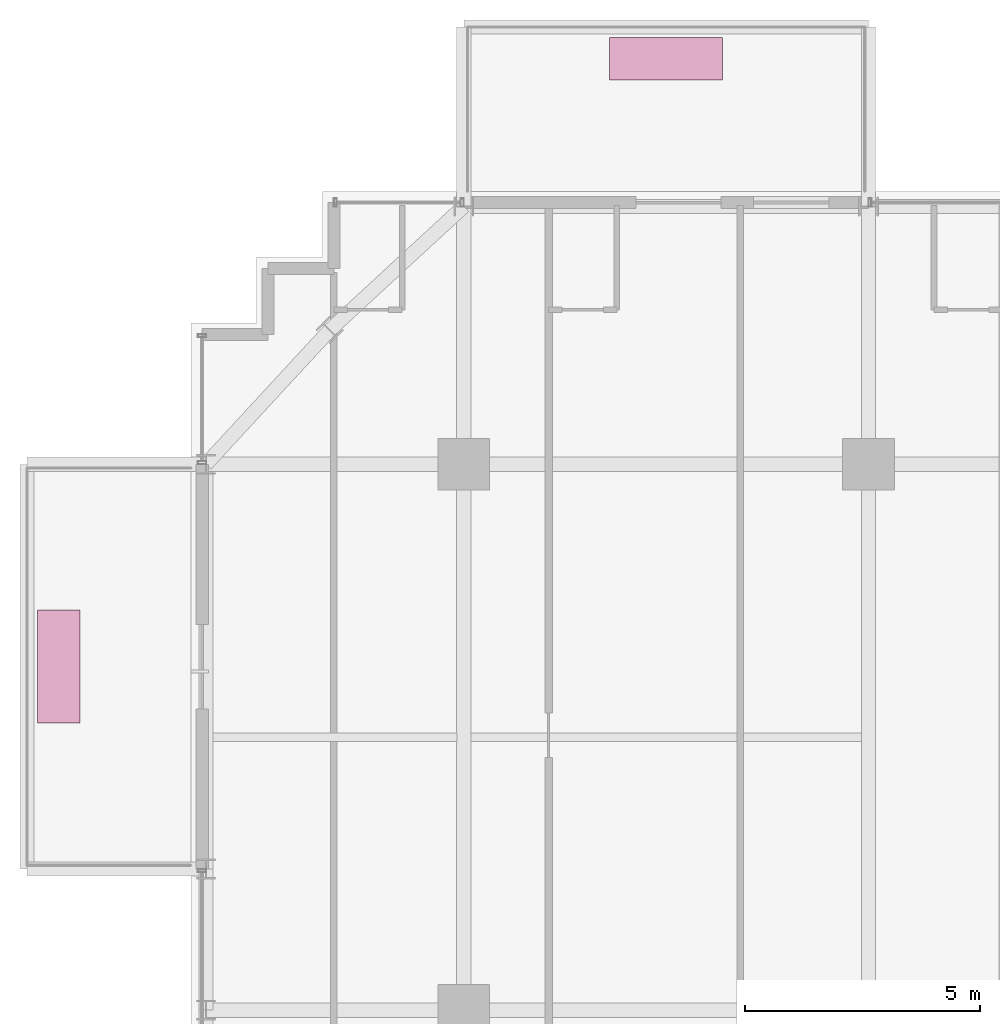
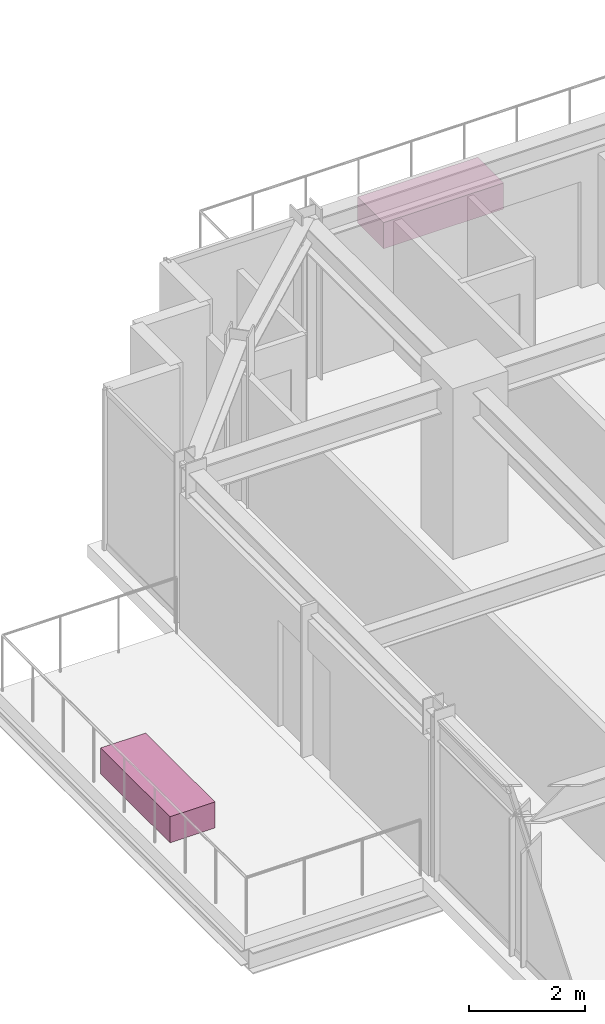
# One storey, part 32 of 32: 2 furnishings.
"""IFC4 building model written with IfcOpenShell, lengths in metres."""

from ifc_helpers import new_model, si_unit, direction, frame, origin, origin_2d, place, context, subcontext, project, spatial, rectangle, extrude, source, transform, mapped, material, type_object, element, save


model = new_model("IFC4")

# Units and contexts
model_context = context("Model", 3, precision=1e-05, world=origin(), true_north=direction((0.0, 1.0)))
body_context = subcontext(model_context, "Body", "Model", "MODEL_VIEW")
ifc_project = project(units=[si_unit("LENGTHUNIT", "METRE"), si_unit("AREAUNIT", "SQUARE_METRE"), si_unit("VOLUMEUNIT", "CUBIC_METRE"), si_unit("PLANEANGLEUNIT", "RADIAN"), si_unit("MASSUNIT", "GRAM", prefix="KILO")], contexts=[model_context])

# Site, building, storey
site_placement = place(None, origin())
site = spatial("IfcSite", under=ifc_project, at=site_placement, CompositionType="ELEMENT")
building_placement = place(site_placement, origin())
building = spatial("IfcBuilding", under=site, at=building_placement, Name="Nahalor Promenade Grand Hotel", CompositionType="ELEMENT")
storey_placement = place(building_placement, frame((0.0, 0.0, 152.64990234375)))
storey = spatial("IfcBuildingStorey", under=building, at=storey_placement, Name="L38", CompositionType="ELEMENT", Elevation=152.64990234375)

# Furnishings
ifc_material = material(Name="Vegetated Volcanic-Lapilli Tree Planter", Category="earth")
furnishing_element_type = type_object("IfcFurnishingElementType", Name="Planter-VerticalForest-Box", material=ifc_material)
shared_shape = source(origin(), body_context, "Body", "SweptSolid", [
    extrude(rectangle(XDim=2.39990234375, YDim=0.89990234375, at=origin_2d()), origin(), (0.0, 0.0, 1.0), 0.550048828125),
])
for number, where, z_axis, x_axis, name in (
    (1, (-12.699951171875, 25.6201171875, 0.0), (0.0, 0.0, 1.0), (1.0, 0.0, 0.0), "L38 Balcony Structural Tree Planter 1"),
    (2, (-25.610107421875, 12.699951171875, 0.0), (0.0, 0.0, 1.0), (0.0, 1.0, 0.0), "L38 Balcony Structural Tree Planter 2"),
):
    element("IfcFurnishingElement", number, at=place(storey_placement, frame(where, z_axis=z_axis, x_axis=x_axis)), inside=storey, type_object=furnishing_element_type, Name=name, ObjectType="PLANTER", context=body_context, shape_type="MappedRepresentation", body=[
        mapped(shared_shape, transform((0.0, 0.0, 0.0), scale=1.0)),
    ])

save(model, "model.ifc")
